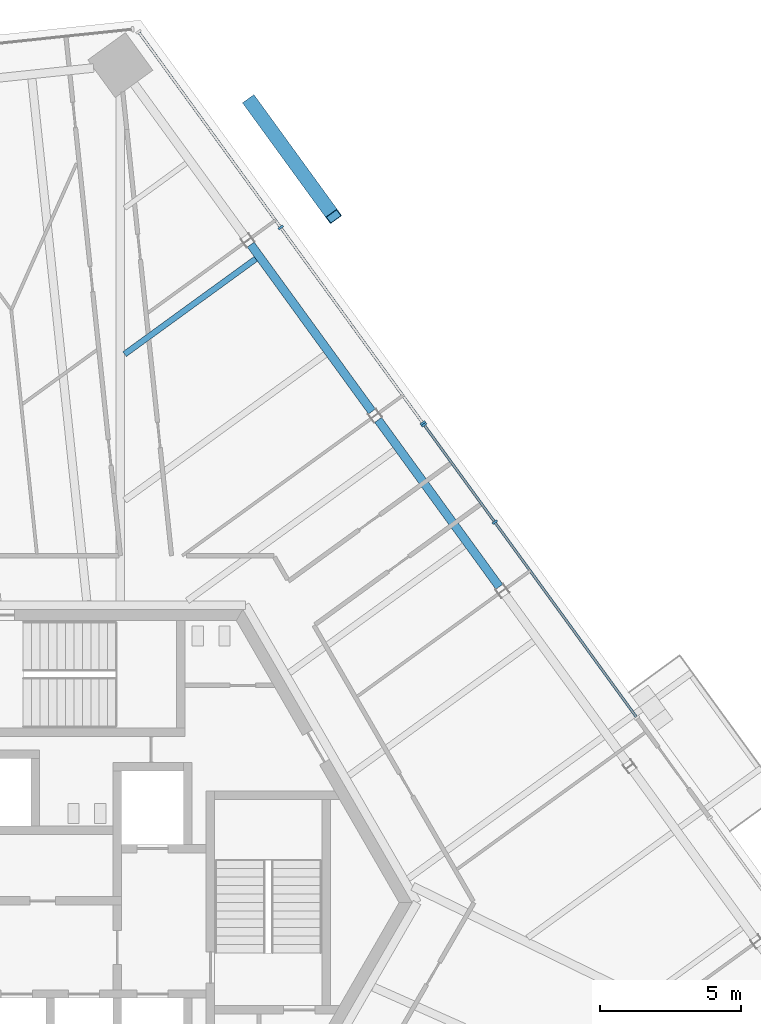
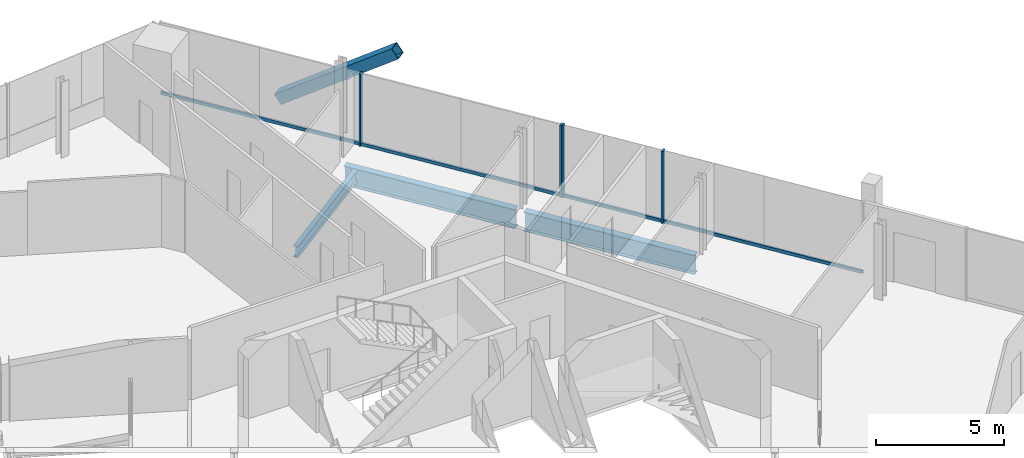
# One storey, part 9 of 19: 9 members, 3 beams, 2 elements without a shape of their own.
"""IFC4 building model written with IfcOpenShell, lengths in metres."""

from ifc_helpers import new_model, si_unit, direction, frame, origin, origin_2d, place, context, subcontext, project, spatial, rectangle, hollow_rectangle, i_section, extrude, source, transform, mapped, material, material_profile, profile_set, type_object, element, aggregate, save


model = new_model("IFC4")

# Units and contexts
model_context = context("Model", 3, precision=1e-05, world=origin(), true_north=direction((0.0, 1.0)))
body_context = subcontext(model_context, "Body", "Model", "MODEL_VIEW")
ifc_project = project(units=[si_unit("LENGTHUNIT", "METRE"), si_unit("AREAUNIT", "SQUARE_METRE"), si_unit("VOLUMEUNIT", "CUBIC_METRE"), si_unit("PLANEANGLEUNIT", "RADIAN"), si_unit("MASSUNIT", "GRAM", prefix="KILO")], contexts=[model_context])

# Site, building, storey
site_placement = place(None, origin())
site = spatial("IfcSite", under=ifc_project, at=site_placement, CompositionType="ELEMENT")
building_placement = place(site_placement, origin())
building = spatial("IfcBuilding", under=site, at=building_placement, Name="Triune Harvest Tower", CompositionType="ELEMENT")
storey_placement = place(building_placement, frame((0.0, 0.0, 223.300048828125)))
storey = spatial("IfcBuildingStorey", under=building, at=storey_placement, Name="L58", CompositionType="ELEMENT", Elevation=223.300048828125)

# Beams
ifc_material_1 = material(Name="Steel ASTM A992 Gr 50", Category="steel")
ifc_material_profile_1 = material_profile(ifc_material_1, i_section(OverallWidth=0.3046875, OverallDepth=0.914306640625, WebThickness=0.0166015625, FlangeThickness=0.02587890625, at=origin_2d()), Name="W36x160")
ifc_profile_set_1 = profile_set([ifc_material_profile_1], Name="Steel ASTM A992 Gr 50")
beam_type_1 = type_object("IfcBeamType", Name="SB-1 Spandrel beam W36x160", PredefinedType="SPANDREL", material=ifc_profile_set_1)
shared_shape_1 = source(origin(), body_context, "Body", "SweptSolid", [
    extrude(i_section(OverallWidth=0.3046875, OverallDepth=0.914306640625, WebThickness=0.0166015625, FlangeThickness=0.02587890625, at=origin_2d()), origin(), (0.0, 0.0, 1.0), 7.31103515625),
])
for number, where, z_axis, x_axis, name in (
    (1, (15.091552734375, 11.1923828125, -0.6171875), (-0.587786436325, 0.809016134124, 0.0), (-0.809016134124, -0.587786436325, 0.0), "beam/L58/SB4"),
    (2, (10.57763671875, 17.405029296875, -0.6171875), (-0.587786436325, 0.809016134124, 0.0), (-0.809016134124, -0.587786436325, 0.0), "beam/L58/SB5"),
):
    element("IfcBeam", number, at=place(storey_placement, frame(where, z_axis=z_axis, x_axis=x_axis)), inside=storey, type_object=beam_type_1, Name=name, PredefinedType="SPANDREL", context=body_context, shape_type="MappedRepresentation", body=[
        mapped(shared_shape_1, transform((0.0, 0.0, 0.0), scale=1.0)),
    ])
ifc_material_2 = material(Name="Steel ASTM A992 Gr 50", Category="steel")
ifc_material_profile_2 = material_profile(ifc_material_2, i_section(OverallWidth=0.2099609375, OverallDepth=0.535888671875, WebThickness=0.010986328125, FlangeThickness=0.017333984375, at=origin_2d()), Name="W21x68")
ifc_profile_set_2 = profile_set([ifc_material_profile_2], Name="Steel ASTM A992 Gr 50")
beam_type_2 = type_object("IfcBeamType", Name="JT-2 Floor joist W21x68", PredefinedType="JOIST", material=ifc_profile_set_2)
shared_shape_2 = source(origin(), body_context, "Body", "SweptSolid", [
    extrude(i_section(OverallWidth=0.2099609375, OverallDepth=0.535888671875, WebThickness=0.010986328125, FlangeThickness=0.017333984375, at=origin_2d()), origin(), (0.0, 0.0, 1.0), 5.745849609375),
])
beam_placement = place(storey_placement, frame((6.458984375, 22.814453125, -0.427978515625), z_axis=(-0.809024464979, -0.587774969751, 0.0), x_axis=(0.587774969751, -0.809024464979, 0.0)))
element("IfcBeam", 3, at=beam_placement, inside=storey, type_object=beam_type_2, Name="beam/L58/JT9", PredefinedType="JOIST", context=body_context, shape_type="MappedRepresentation", body=[
    mapped(shared_shape_2, transform((0.0, 0.0, 0.0), scale=1.0)),
])

# Member
ifc_material_3 = material(Name="Steel ASTM A572 Gr 50", Category="steel")
ifc_material_profile_3 = material_profile(ifc_material_3, hollow_rectangle(XDim=0.5, YDim=0.5, WallThickness=0.030029296875, at=origin_2d()), Name="Box 500x500x30")
ifc_profile_set_3 = profile_set([ifc_material_profile_3], Name="Steel ASTM A572 Gr 50")
member_type_1 = type_object("IfcMemberType", Name="BR-3 Brace Box 500x500x30", PredefinedType="BRACE", material=ifc_profile_set_3)
shared_shape_3 = source(origin(), body_context, "Body", "SweptSolid", [
    extrude(hollow_rectangle(XDim=0.5, YDim=0.5, WallThickness=0.030029296875, at=origin_2d()), origin(), (0.0, 0.0, 1.0), 6.1708984375),
])
member_1_placement = place(storey_placement, frame((6.27490234375, 28.37255859375, 0.0), z_axis=(0.47740558212, -0.657100299447, 0.583355043371), x_axis=(0.809020349448, 0.587780634403, 0.0)))
element("IfcMember", 4, at=member_1_placement, inside=storey, type_object=member_type_1, Name="brace/B6-F1/d2/2", PredefinedType="BRACE", context=body_context, shape_type="MappedRepresentation", body=[
    mapped(shared_shape_3, transform((0.0, 0.0, 0.0), scale=1.0)),
])

# Curtain wall, members
ifc_material_4 = material(Name="Aluminium bronze anodised", Category="aluminium")
curtain_wall_type_1 = type_object("IfcCurtainWallType", Name="CW-6 Balcony window wall", PredefinedType="NOTDEFINED", material=ifc_material_4)
curtain_wall_1_placement = place(storey_placement, origin())
curtain_wall_1 = element("IfcCurtainWall", 5, at=curtain_wall_1_placement, inside=storey, type_object=curtain_wall_type_1, Name="CW-6 B6-F1 L58 run 2")
ifc_material_5 = material(Name="Aluminium bronze anodised", Category="aluminium")
ifc_material_profile_4 = material_profile(ifc_material_5, rectangle(XDim=0.199951171875, YDim=0.074951171875, at=origin_2d()), Name="MU-6 mullion 75 x 200")
ifc_profile_set_4 = profile_set([ifc_material_profile_4], Name="Aluminium bronze anodised")
member_type_2 = type_object("IfcMemberType", Name="MU-6 mullion 75 x 200", PredefinedType="MULLION", material=ifc_profile_set_4)
shared_shape_4 = source(origin(), body_context, "Body", "SweptSolid", [
    extrude(rectangle(XDim=0.199951171875, YDim=0.074951171875, at=origin_2d()), origin(), (0.0, 0.0, 1.0), 3.43994140625),
])
member_2_placement = place(storey_placement, frame((14.9296875, 13.48291015625, 0.0), z_axis=(0.0, 0.0, 1.0), x_axis=(-0.809016766363, -0.587785566124, 0.0)))
member_2 = element("IfcMember", 6, at=member_2_placement, type_object=member_type_2, Name="CW-6 mullion B6-F1 2.3", PredefinedType="MULLION", context=body_context, shape_type="MappedRepresentation", body=[
    mapped(shared_shape_4, transform((0.0, 0.0, 0.0), scale=1.0)),
])
member_3_placement = place(storey_placement, frame((12.42236328125, 16.934326171875, 0.0), z_axis=(0.0, 0.0, 1.0), x_axis=(-0.809016766363, -0.587785566124, 0.0)))
member_3 = element("IfcMember", 7, at=member_3_placement, type_object=member_type_2, Name="CW-6 mullion B6-F1 2.4", PredefinedType="MULLION", context=body_context, shape_type="MappedRepresentation", body=[
    mapped(shared_shape_4, transform((0.0, 0.0, 0.0), scale=1.0)),
])

ifc_material_6 = material(Name="Aluminium bronze anodised", Category="aluminium")
curtain_wall_type_2 = type_object("IfcCurtainWallType", Name="CW-10 Balcony window wall with insulated spandrel infill", PredefinedType="NOTDEFINED", material=ifc_material_6)
curtain_wall_2_placement = place(storey_placement, origin())
curtain_wall_2 = element("IfcCurtainWall", 8, at=curtain_wall_2_placement, inside=storey, type_object=curtain_wall_type_2, Name="CW-10 B6-F1 L58 run 1002")
member_4_placement = place(storey_placement, frame((12.378173828125, 16.994873046875, 0.0), z_axis=(0.0, 0.0, 1.0), x_axis=(-0.809016631665, -0.587785751519, 0.0)))
member_4 = element("IfcMember", 9, at=member_4_placement, type_object=member_type_2, Name="CW-10 mullion B6-F1 1002.1", PredefinedType="MULLION", context=body_context, shape_type="MappedRepresentation", body=[
    mapped(shared_shape_4, transform((0.0, 0.0, 0.0), scale=1.0)),
])
member_5_placement = place(storey_placement, frame((7.341064453125, 23.927734375, 0.0), z_axis=(0.0, 0.0, 1.0), x_axis=(-0.809016631665, -0.587785751519, 0.0)))
member_5 = element("IfcMember", 10, at=member_5_placement, type_object=member_type_2, Name="CW-10 mullion B6-F1 1002.3", PredefinedType="MULLION", context=body_context, shape_type="MappedRepresentation", body=[
    mapped(shared_shape_4, transform((0.0, 0.0, 0.0), scale=1.0)),
])

# Member
ifc_material_7 = material(Name="Aluminium bronze anodised", Category="aluminium")
ifc_material_profile_5 = material_profile(ifc_material_7, rectangle(XDim=0.090087890625, YDim=0.14990234375, at=origin_2d()), Name="TR-6 transom 90 x 150")
ifc_profile_set_5 = profile_set([ifc_material_profile_5], Name="Aluminium bronze anodised")
member_type_3 = type_object("IfcMemberType", Name="TR-6 transom 90 x 150", PredefinedType="USERDEFINED", material=ifc_profile_set_5)
shared_shape_5 = source(origin(), body_context, "Body", "SweptSolid", [
    extrude(rectangle(XDim=0.090087890625, YDim=0.14990234375, at=origin_2d()), origin(), (0.0, 0.0, 1.0), 8.49462890625),
])
member_6_placement = place(storey_placement, frame((19.94482421875, 6.580322265625, 0.074951171875), z_axis=(-0.587776869662, 0.809023084646, 0.0), x_axis=(-0.809023084646, -0.587776869662, 0.0)))
member_6 = element("IfcMember", 11, at=member_6_placement, type_object=member_type_3, Name="CW-6 transom B6-F1 2.1", ObjectType="TRANSOM", PredefinedType="USERDEFINED", context=body_context, shape_type="MappedRepresentation", body=[
    mapped(shared_shape_5, transform((0.0, 0.0, 0.0), scale=1.0)),
])

member_7_placement = place(storey_placement, frame((12.356201171875, 17.025390625, 0.074951171875), z_axis=(-0.587809347678, 0.808999487504, 0.0), x_axis=(-0.808999487504, -0.587809347678, 0.0)))
member_7 = element("IfcMember", 12, at=member_7_placement, type_object=member_type_3, Name="CW-10 transom B6-F1 1002.1", ObjectType="TRANSOM", PredefinedType="USERDEFINED", context=body_context, shape_type="MappedRepresentation", body=[
    mapped(shared_shape_5, transform((0.0, 0.0, 0.0), scale=1.0)),
])

shared_shape_6 = source(origin(), body_context, "Body", "SweptSolid", [
    extrude(rectangle(XDim=0.090087890625, YDim=0.14990234375, at=origin_2d()), origin(), (0.0, 0.0, 1.0), 4.19091796875),
])
member_8_placement = place(storey_placement, frame((14.90771484375, 13.513427734375, 0.074951171875), z_axis=(-0.587804465918, 0.80900303451, 0.0), x_axis=(-0.80900303451, -0.587804465918, 0.0)))
member_8 = element("IfcMember", 13, at=member_8_placement, type_object=member_type_3, Name="CW-6 transom B6-F1 2.2", ObjectType="TRANSOM", PredefinedType="USERDEFINED", context=body_context, shape_type="MappedRepresentation", body=[
    mapped(shared_shape_6, transform((0.0, 0.0, 0.0), scale=1.0)),
])

aggregate(curtain_wall_1, [member_2, member_3, member_6, member_8])

shared_shape_7 = source(origin(), body_context, "Body", "SweptSolid", [
    extrude(rectangle(XDim=0.090087890625, YDim=0.14990234375, at=origin_2d()), origin(), (0.0, 0.0, 1.0), 8.494384765625),
])
member_9_placement = place(storey_placement, frame((7.319091796875, 23.958251953125, 0.074951171875), z_axis=(-0.587790536837, 0.809013154902, 0.0), x_axis=(-0.809013154902, -0.587790536837, 0.0)))
member_9 = element("IfcMember", 14, at=member_9_placement, type_object=member_type_3, Name="CW-10 transom B6-F1 1002.2", ObjectType="TRANSOM", PredefinedType="USERDEFINED", context=body_context, shape_type="MappedRepresentation", body=[
    mapped(shared_shape_7, transform((0.0, 0.0, 0.0), scale=1.0)),
])

aggregate(curtain_wall_2, [member_4, member_5, member_7, member_9])

save(model, "model.ifc")
